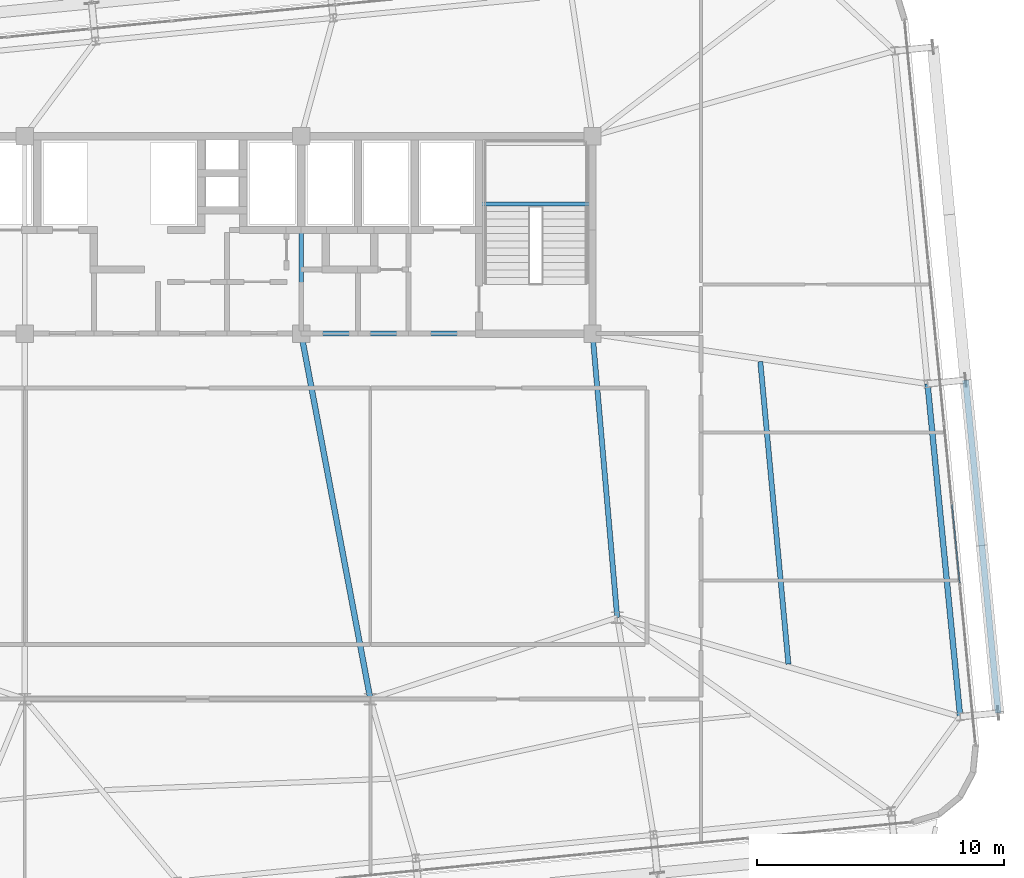
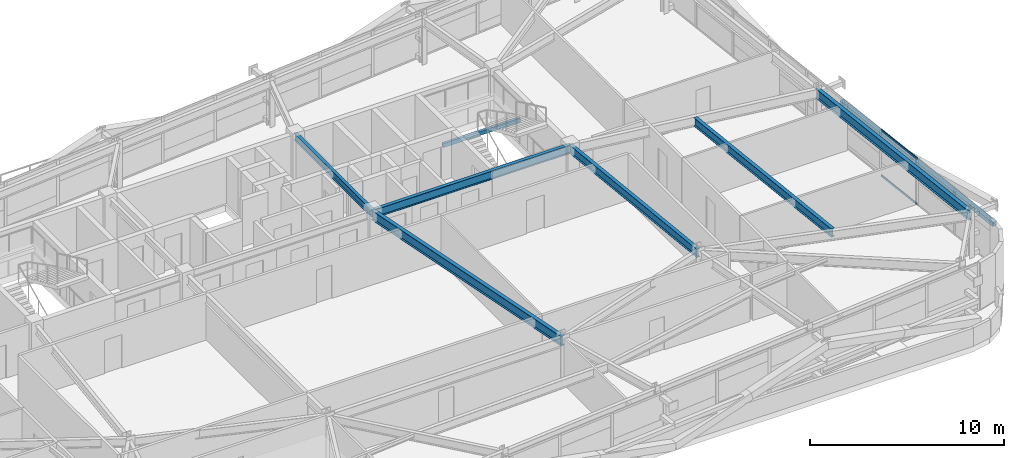
# One storey, part 23 of 51: 7 beams, 3 members, 1 element without a shape of its own.
"""IFC4 building model written with IfcOpenShell, lengths in metres."""

import ifcopenshell
import ifcopenshell.guid

model = None  # the IFC model being written
_history = None  # IfcOwnerHistory: only IFC2X3 demands one
_inside = {}  # id of a spatial element -> (the spatial element, [elements in it])
_under = {}  # id of a project, library or spatial element -> (it, [spatial elements below it])
_declared = {}  # id of a project -> (the project, [libraries it declares])
_typed = {}  # id of a type object -> (the type object, [elements of that type])
_made_of = {}  # id of a material, layer set ... -> (it, [elements and type objects made of it])


def new_model(schema):
    """Start an empty IFC model of exactly this schema.

    Asked for "IFC4X3", IfcOpenShell would pick the latest addendum, in which some entities
    have other attributes; the version numbers below select the first issue.
    IFC2X3 requires an IfcOwnerHistory on every rooted entity: one is made here for all.
    """
    global model, _history
    if schema == "IFC4X3":
        model = ifcopenshell.file(schema_version=(4, 3, 0, 0))
    else:
        model = ifcopenshell.file(schema=schema)
    _inside.clear()
    _under.clear()
    _declared.clear()
    _typed.clear()
    _made_of.clear()
    _history = None
    if model.schema == "IFC2X3":
        org = make("IfcOrganization", Name="unknown")
        user = make(
            "IfcPersonAndOrganization",
            ThePerson=make("IfcPerson", FamilyName="unknown"),
            TheOrganization=org,
        )
        app = make(
            "IfcApplication",
            ApplicationDeveloper=org,
            Version="unknown",
            ApplicationFullName="unknown",
            ApplicationIdentifier="unknown",
        )
        _history = make(
            "IfcOwnerHistory",
            OwningUser=user,
            OwningApplication=app,
            ChangeAction="ADDED",
            CreationDate=0,
        )
    return model


def make(cls, **values):
    """One entity of the class cls with the attributes given. An attribute that is None is left unset."""
    return model.create_entity(
        cls, **{name: value for name, value in values.items() if value is not None}
    )


def rooted(cls, **values):
    """An entity with a GlobalId (a new one), such as an element, a storey or a relation."""
    return make(cls, GlobalId=ifcopenshell.guid.new(), OwnerHistory=_history, **values)


def si_unit(unit_type, name, prefix=None):
    """IfcSIUnit, for example si_unit("LENGTHUNIT", "METRE", prefix="MILLI")."""
    return make("IfcSIUnit", UnitType=unit_type, Prefix=prefix, Name=name)


def assignment(units):
    """IfcUnitAssignment: the units of a project."""
    return None if units is None else make("IfcUnitAssignment", Units=units)


def point(xyz):
    """IfcCartesianPoint."""
    return None if xyz is None else make("IfcCartesianPoint", Coordinates=xyz)


def direction(xyz):
    """IfcDirection."""
    return None if xyz is None else make("IfcDirection", DirectionRatios=xyz)


def frame(location, z_axis=None, x_axis=None):
    """IfcAxis2Placement3D, a coordinate frame: its origin and axes. An axis left out is left unset."""
    return make(
        "IfcAxis2Placement3D",
        Location=point(location),
        Axis=direction(z_axis),
        RefDirection=direction(x_axis),
    )


def frame_2d(location, x_axis=None):
    """IfcAxis2Placement2D, a coordinate frame in the plane: its origin and x axis."""
    return make(
        "IfcAxis2Placement2D", Location=point(location), RefDirection=direction(x_axis)
    )


def origin():
    """The frame at (0, 0, 0) with its axes left unset."""
    return frame((0.0, 0.0, 0.0))


def origin_2d():
    """The frame at (0, 0) in the plane with its x axis left unset."""
    return frame_2d((0.0, 0.0))


def place(relative_to, where):
    """IfcLocalPlacement: puts the frame where relative to a parent placement (None: the world)."""
    return make(
        "IfcLocalPlacement", PlacementRelTo=relative_to, RelativePlacement=where
    )


def context(
    kind, dimensions, precision=None, world=None, true_north=None, identifier=None
):
    """IfcGeometricRepresentationContext, for example the 3D "Model" context."""
    return make(
        "IfcGeometricRepresentationContext",
        ContextIdentifier=identifier,
        ContextType=kind,
        CoordinateSpaceDimension=dimensions,
        Precision=precision,
        WorldCoordinateSystem=world,
        TrueNorth=true_north,
    )


def subcontext(parent, identifier, kind, view, scale=None):
    """IfcGeometricRepresentationSubContext, for example "Body" below "Model"."""
    return make(
        "IfcGeometricRepresentationSubContext",
        ContextIdentifier=identifier,
        ContextType=kind,
        ParentContext=parent,
        TargetScale=scale,
        TargetView=view,
    )


def project(units=None, contexts=None):
    """IfcProject with its units and contexts."""
    return rooted(
        "IfcProject",
        Name="project",
        RepresentationContexts=contexts,
        UnitsInContext=assignment(units),
    )


def spatial(cls, under=None, at=None, **own):
    """A site, building, storey or space (cls), placed at a placement, below another one or the project."""
    s = rooted(cls, ObjectPlacement=at, **own)
    if under is not None:
        _under.setdefault(under.id(), (under, []))[1].append(s)
    return s


def profile(cls, at=None, kind="AREA", **sizes):
    """A parametric profile (cls). Its sizes go by their IFC names, for example OverallWidth=200.0."""
    return make(cls, ProfileType=kind, Position=at, **sizes)


def hollow_rectangle(**sizes):
    """IfcRectangleHollowProfileDef."""
    return profile("IfcRectangleHollowProfileDef", **sizes)


def i_section(**sizes):
    """IfcIShapeProfileDef."""
    return profile("IfcIShapeProfileDef", **sizes)


def extrude(swept, where, along, depth):
    """IfcExtrudedAreaSolid: the profile swept, set in the frame where, extruded along a direction by depth."""
    return make(
        "IfcExtrudedAreaSolid",
        SweptArea=swept,
        Position=where,
        ExtrudedDirection=direction(along),
        Depth=depth,
    )


def shape(context_of_items, identifier, shape_type, items):
    """IfcShapeRepresentation: the items that make up one representation, for example the "Body"."""
    return make(
        "IfcShapeRepresentation",
        ContextOfItems=context_of_items,
        RepresentationIdentifier=identifier,
        RepresentationType=shape_type,
        Items=items,
    )


def source(mapping_origin, context_of_items, identifier, shape_type, items):
    """IfcRepresentationMap: a shape defined once, which mapped items show again and again."""
    return make(
        "IfcRepresentationMap",
        MappingOrigin=mapping_origin,
        MappedRepresentation=shape(context_of_items, identifier, shape_type, items),
    )


def transform(
    local_origin,
    x_axis=None,
    y_axis=None,
    z_axis=None,
    scale=None,
    scale2=None,
    scale3=None,
    uniform=True,
):
    """IfcCartesianTransformationOperator3D, or its non-uniform kind. x_axis, y_axis, z_axis: its Axis1, 2, 3."""
    if uniform:
        return make(
            "IfcCartesianTransformationOperator3D",
            Axis1=direction(x_axis),
            Axis2=direction(y_axis),
            LocalOrigin=point(local_origin),
            Scale=scale,
            Axis3=direction(z_axis),
        )
    return make(
        "IfcCartesianTransformationOperator3DnonUniform",
        Axis1=direction(x_axis),
        Axis2=direction(y_axis),
        LocalOrigin=point(local_origin),
        Scale=scale,
        Axis3=direction(z_axis),
        Scale2=scale2,
        Scale3=scale3,
    )


def mapped(mapping_source, mapping_target):
    """IfcMappedItem: shows the shape of a source again, moved by a transform."""
    return make(
        "IfcMappedItem", MappingSource=mapping_source, MappingTarget=mapping_target
    )


def material(Name=None, Category=None):
    """IfcMaterial."""
    return make("IfcMaterial", Name=Name, Category=Category)


def layer(
    of_material, thickness, ventilated=None, Name=None, Category=None, Priority=None
):
    """IfcMaterialLayer: one layer of a wall or slab, of a material (None: an air gap)."""
    return make(
        "IfcMaterialLayer",
        Material=of_material,
        LayerThickness=thickness,
        IsVentilated=ventilated,
        Name=Name,
        Category=Category,
        Priority=Priority,
    )


def layer_set(layers, Name=None):
    """IfcMaterialLayerSet."""
    return make("IfcMaterialLayerSet", MaterialLayers=layers, LayerSetName=Name)


def material_profile(
    of_material, cross_section, Name=None, Category=None, Priority=None
):
    """IfcMaterialProfile: a cross section and its material."""
    return make(
        "IfcMaterialProfile",
        Name=Name,
        Material=of_material,
        Profile=cross_section,
        Priority=Priority,
        Category=Category,
    )


def profile_set(profiles, Name=None, composite=None):
    """IfcMaterialProfileSet."""
    return make(
        "IfcMaterialProfileSet",
        Name=Name,
        MaterialProfiles=profiles,
        CompositeProfile=composite,
    )


def made_of(thing, what):
    """Note that an element or type object is made of a material, layer set ...; save() writes the relation."""
    if what is not None:
        _made_of.setdefault(what.id(), (what, []))[1].append(thing)
    return thing


def type_object(cls, material=None, **own):
    """A type object (cls), such as IfcWallType, which elements share."""
    return made_of(rooted(cls, **own), material)


def element(
    cls,
    number,
    at=None,
    inside=None,
    cuts=None,
    type_object=None,
    material=None,
    context=None,
    identifier="Body",
    shape_type=None,
    held_by="IfcProductDefinitionShape",
    body=None,
    shapes=None,
    **own,
):
    """One element of the class cls, such as IfcWall. Its Tag is "e" and its number.

    at: its placement. inside: the storey or other place that contains it. cuts: it is an
    opening in that element (IfcRelVoidsElement). A single representation is given by context,
    identifier, shape_type and body (its items); several are given by shapes. held_by: the class
    of the entity that holds the representations. save() writes the other relations.
    """
    e = rooted(cls, Tag="e%d" % number, ObjectPlacement=at, **own)
    if body is not None:
        shapes = [shape(context, identifier, shape_type, body)]
    if shapes is not None:
        e.Representation = make(held_by, Representations=shapes)
    if inside is not None:
        _inside.setdefault(inside.id(), (inside, []))[1].append(e)
    if cuts is not None:
        rooted(
            "IfcRelVoidsElement", RelatingBuildingElement=cuts, RelatedOpeningElement=e
        )
    if type_object is not None:
        _typed.setdefault(type_object.id(), (type_object, []))[1].append(e)
    return made_of(e, material)


def aggregate(whole, parts):
    """IfcRelAggregates: a whole, such as a stair, and the parts it consists of."""
    return rooted("IfcRelAggregates", RelatingObject=whole, RelatedObjects=parts)


def save(model, path):
    """Write the relations noted so far, then the file.

    IfcRelAggregates (storeys below a building ...), IfcRelContainedInSpatialStructure (elements
    in a storey), IfcRelDefinesByType, IfcRelAssociatesMaterial and IfcRelDeclares: one each for
    every whole, place, type object, material and project.
    """
    for whole, parts in _under.values():
        aggregate(whole, parts)
    for where, things in _inside.values():
        rooted(
            "IfcRelContainedInSpatialStructure",
            RelatedElements=things,
            RelatingStructure=where,
        )
    for kind, things in _typed.values():
        rooted("IfcRelDefinesByType", RelatedObjects=things, RelatingType=kind)
    for what, things in _made_of.values():
        rooted("IfcRelAssociatesMaterial", RelatedObjects=things, RelatingMaterial=what)
    for by, libraries in _declared.values():
        rooted("IfcRelDeclares", RelatingContext=by, RelatedDefinitions=libraries)
    model.write(path)


model = new_model("IFC4")

# Units and contexts
model_context = context("Model", 3, precision=1e-05, world=origin(), true_north=direction((0.0, 1.0)))
body_context = subcontext(model_context, "Body", "Model", "MODEL_VIEW")
ifc_project = project(units=[si_unit("LENGTHUNIT", "METRE"), si_unit("AREAUNIT", "SQUARE_METRE"), si_unit("VOLUMEUNIT", "CUBIC_METRE"), si_unit("PLANEANGLEUNIT", "RADIAN"), si_unit("MASSUNIT", "GRAM", prefix="KILO")], contexts=[model_context])

# Site, building, storey
site_placement = place(None, origin())
site = spatial("IfcSite", under=ifc_project, at=site_placement, CompositionType="ELEMENT")
building_placement = place(site_placement, origin())
building = spatial("IfcBuilding", under=site, at=building_placement, Name="Taldren Reach Tower", CompositionType="ELEMENT")
storey_placement = place(building_placement, frame((0.0, 0.0, 65.10009765625)))
storey = spatial("IfcBuildingStorey", under=building, at=storey_placement, Name="L19", CompositionType="ELEMENT", Elevation=65.10009765625)

# Beams
ifc_material_1 = material(Name="Steel Gr 350 (350PLUS)", Category="steel")
ifc_material_profile_1 = material_profile(ifc_material_1, i_section(OverallWidth=0.208984375, OverallDepth=0.532958984375, WebThickness=0.01025390625, FlangeThickness=0.015625, at=origin_2d()), Name="530UB92.4")
ifc_profile_set_1 = profile_set([ifc_material_profile_1], Name="Steel Gr 350 (350PLUS)")
beam_type_1 = type_object("IfcBeamType", Name="BM-UB530A", PredefinedType="BEAM", material=ifc_profile_set_1)
shared_shape_1 = source(origin(), body_context, "Body", "SweptSolid", [
    extrude(i_section(OverallWidth=0.208984375, OverallDepth=0.532958984375, WebThickness=0.01025390625, FlangeThickness=0.015625, at=origin_2d()), origin(), (0.0, 0.0, 1.0), 11.800048828125),
])
beam_1_placement = place(storey_placement, frame((39.199951171875, 24.0, 2.663330078125), z_axis=(1.0, 0.0, 0.0), x_axis=(0.0, 1.0, 0.0)))
element("IfcBeam", 1, at=beam_1_placement, inside=storey, type_object=beam_type_1, Name="Core-spine girder L19-SP03", PredefinedType="BEAM", context=body_context, shape_type="MappedRepresentation", body=[
    mapped(shared_shape_1, transform((0.0, 0.0, 0.0), scale=1.0)),
])
ifc_material_profile_2 = material_profile(ifc_material_1, i_section(OverallWidth=0.19091796875, OverallDepth=0.4599609375, WebThickness=0.010009765625, FlangeThickness=0.01611328125, at=origin_2d()), Name="460UB82.1")
ifc_profile_set_2 = profile_set([ifc_material_profile_2], Name="Steel Gr 350 (350PLUS)")
beam_type_2 = type_object("IfcBeamType", Name="BM-UB460A", PredefinedType="BEAM", material=ifc_profile_set_2)
shared_shape_2 = source(origin(), body_context, "Body", "SweptSolid", [
    extrude(i_section(OverallWidth=0.19091796875, OverallDepth=0.4599609375, WebThickness=0.010009765625, FlangeThickness=0.01611328125, at=origin_2d()), origin(), (0.0, 0.0, 1.0), 8.0),
])
beam_2_placement = place(storey_placement, frame((39.199951171875, 24.0, 2.699951171875), z_axis=(0.0, 1.0, 0.0), x_axis=(-1.0, 0.0, 0.0)))
element("IfcBeam", 2, at=beam_2_placement, inside=storey, type_object=beam_type_2, Name="Core-spine girder L19-SP08", PredefinedType="BEAM", context=body_context, shape_type="MappedRepresentation", body=[
    mapped(shared_shape_2, transform((0.0, 0.0, 0.0), scale=1.0)),
])
shared_shape_3 = source(origin(), body_context, "Body", "SweptSolid", [
    extrude(i_section(OverallWidth=0.208984375, OverallDepth=0.532958984375, WebThickness=0.01025390625, FlangeThickness=0.015625, at=origin_2d()), origin(), (0.0, 0.0, 1.0), 11.54345703125),
])
beam_3_placement = place(storey_placement, frame((52.0, 12.5, 2.663330078125), z_axis=(-0.086629616365, 0.996240588196, 0.0), x_axis=(-0.996240588196, -0.086629616365, 0.0)))
element("IfcBeam", 3, at=beam_3_placement, inside=storey, type_object=beam_type_1, Name="Core-spine girder L19-SP13", PredefinedType="BEAM", context=body_context, shape_type="MappedRepresentation", body=[
    mapped(shared_shape_3, transform((0.0, 0.0, 0.0), scale=1.0)),
])
ifc_material_profile_3 = material_profile(ifc_material_1, i_section(OverallWidth=0.22802734375, OverallDepth=0.60205078125, WebThickness=0.010498046875, FlangeThickness=0.014892578125, at=origin_2d()), Name="610UB101")
ifc_profile_set_3 = profile_set([ifc_material_profile_3], Name="Steel Gr 350 (350PLUS)")
beam_type_3 = type_object("IfcBeamType", Name="BM-UB610B", PredefinedType="BEAM", material=ifc_profile_set_3)
shared_shape_4 = source(origin(), body_context, "Body", "SweptSolid", [
    extrude(i_section(OverallWidth=0.22802734375, OverallDepth=0.60205078125, WebThickness=0.010498046875, FlangeThickness=0.014892578125, at=origin_2d()), origin(), (0.0, 0.0, 1.0), 15.0625),
])
beam_4_placement = place(storey_placement, frame((39.199951171875, 24.0, 2.62890625), z_axis=(0.185894205668, -0.982569765614, 0.0), x_axis=(0.982569765614, 0.185894205668, 0.0)))
element("IfcBeam", 4, at=beam_4_placement, inside=storey, type_object=beam_type_3, Name="Core-spine girder L19-SP15", PredefinedType="BEAM", context=body_context, shape_type="MappedRepresentation", body=[
    mapped(shared_shape_4, transform((0.0, 0.0, 0.0), scale=1.0)),
])
shared_shape_5 = source(origin(), body_context, "Body", "SweptSolid", [
    extrude(i_section(OverallWidth=0.22802734375, OverallDepth=0.60205078125, WebThickness=0.010498046875, FlangeThickness=0.014892578125, at=origin_2d()), origin(), (0.0, 0.0, 1.0), 13.550048828125),
])
beam_5_placement = place(storey_placement, frame((65.8916015625, 8.483642578125, 2.62890625), z_axis=(-0.097566175139, 0.995229039703, 0.0), x_axis=(-0.995229039703, -0.097566175139, 0.0)))
element("IfcBeam", 5, at=beam_5_placement, inside=storey, type_object=beam_type_3, Name="Perimeter gable girder B2 E1-E2 L19", PredefinedType="BEAM", context=body_context, shape_type="MappedRepresentation", body=[
    mapped(shared_shape_5, transform((0.0, 0.0, 0.0), scale=1.0)),
])
shared_shape_6 = source(origin(), body_context, "Body", "SweptSolid", [
    extrude(i_section(OverallWidth=0.208984375, OverallDepth=0.532958984375, WebThickness=0.01025390625, FlangeThickness=0.015625, at=origin_2d()), origin(), (0.0, 0.0, 1.0), 12.306396484375),
])
beam_6_placement = place(storey_placement, frame((58.9345703125, 10.61376953125, 2.663330078125), z_axis=(-0.092546068089, 0.995708403741, 0.0), x_axis=(-0.995708403741, -0.092546068089, 0.0)))
element("IfcBeam", 6, at=beam_6_placement, inside=storey, type_object=beam_type_1, Name="Secondary floor beam B2 J7 L19", PredefinedType="BEAM", context=body_context, shape_type="MappedRepresentation", body=[
    mapped(shared_shape_6, transform((0.0, 0.0, 0.0), scale=1.0)),
])

# Member
ifc_material_2 = material(Name="Steel Gr 350 (C350L0)", Category="steel")
ifc_material_profile_4 = material_profile(ifc_material_2, hollow_rectangle(XDim=0.25, YDim=0.25, WallThickness=0.010009765625, at=origin_2d()), Name="250x250x10.0SHS")
ifc_profile_set_4 = profile_set([ifc_material_profile_4], Name="Steel Gr 350 (C350L0)")
member_type_1 = type_object("IfcMemberType", Name="MB-POST250", PredefinedType="POST", material=ifc_profile_set_4)
shared_shape_7 = source(origin(), body_context, "Body", "SweptSolid", [
    extrude(hollow_rectangle(XDim=0.25, YDim=0.25, WallThickness=0.010009765625, at=origin_2d()), origin(), (0.0, 0.0, 1.0), 13.550048828125),
])
member_1_placement = place(storey_placement, frame((67.434326171875, 8.634765625, 1.434814453125), z_axis=(-0.097584021339, 0.995227290009, 0.0), x_axis=(-0.995227290009, -0.097584021339, 0.0)))
element("IfcMember", 7, at=member_1_placement, inside=storey, type_object=member_type_1, Name="Exoskeleton mid-height ring chord B2-E1 L19", PredefinedType="POST", context=body_context, shape_type="MappedRepresentation", body=[
    mapped(shared_shape_7, transform((0.0, 0.0, 0.0), scale=1.0)),
])

# Curtain wall, members
ifc_material_3 = material(Name="Aluminium and Low-E Glass Unitised System", Category="aluminium")
ifc_layer = layer(ifc_material_3, 0.159912109375)
ifc_layer_set = layer_set([ifc_layer], Name="Aluminium and Low-E Glass Unitised System")
curtain_wall_type = type_object("IfcCurtainWallType", Name="CW-SYS-3", PredefinedType="NOTDEFINED", material=ifc_layer_set)
curtain_wall_placement = place(storey_placement, origin())
curtain_wall = element("IfcCurtainWall", 8, at=curtain_wall_placement, inside=storey, type_object=curtain_wall_type, Name="Unitised curtain wall CW-L19-E", PredefinedType="NOTDEFINED")
ifc_material_4 = material(Name="Anodised Aluminium 6063-T6", Category="aluminium")
ifc_material_profile_5 = material_profile(ifc_material_4, hollow_rectangle(XDim=0.054931640625, YDim=0.1201171875, WallThickness=0.0029296875, at=origin_2d()), Name="ALU-120x55x3RHS")
ifc_profile_set_5 = profile_set([ifc_material_profile_5], Name="Anodised Aluminium 6063-T6")
member_type_2 = type_object("IfcMemberType", Name="CW-TRN-135", PredefinedType="USERDEFINED", material=ifc_profile_set_5)
shared_shape_8 = source(origin(), body_context, "Body", "SweptSolid", [
    extrude(hollow_rectangle(XDim=0.054931640625, YDim=0.1201171875, WallThickness=0.0029296875, at=origin_2d()), origin(), (0.0, 0.0, 1.0), 3.212646484375),
])
member_2_placement = place(storey_placement, frame((65.87353515625, 13.895751953125, 0.02734375), z_axis=(-0.097577327663, 0.995227946315, 0.0), x_axis=(-0.995227946315, -0.097577327663, 0.0)))
member_2 = element("IfcMember", 9, at=member_2_placement, type_object=member_type_2, Name="CW-3 transom 3.1", ObjectType="TRANSOM", PredefinedType="USERDEFINED", context=body_context, shape_type="MappedRepresentation", body=[
    mapped(shared_shape_8, transform((0.0, 0.0, 0.0), scale=1.0)),
])
member_3_placement = place(storey_placement, frame((65.87353515625, 13.895751953125, 2.90234375), z_axis=(-0.097577327663, 0.995227946315, 0.0), x_axis=(-0.995227946315, -0.097577327663, 0.0)))
member_3 = element("IfcMember", 10, at=member_3_placement, type_object=member_type_2, Name="CW-3 transom 3.2", ObjectType="TRANSOM", PredefinedType="USERDEFINED", context=body_context, shape_type="MappedRepresentation", body=[
    mapped(shared_shape_8, transform((0.0, 0.0, 0.0), scale=1.0)),
])
aggregate(curtain_wall, [member_2, member_3])

# Beam
ifc_material_profile_6 = material_profile(ifc_material_2, hollow_rectangle(XDim=0.14990234375, YDim=0.25, WallThickness=0.009033203125, at=origin_2d()), Name="250x150x9.0RHS")
ifc_profile_set_6 = profile_set([ifc_material_profile_6], Name="Steel Gr 350 (C350L0)")
beam_type_4 = type_object("IfcBeamType", Name="LN-RHS250", PredefinedType="LINTEL", material=ifc_profile_set_6)
shared_shape_9 = source(origin(), body_context, "Body", "SweptSolid", [
    extrude(hollow_rectangle(XDim=0.14990234375, YDim=0.25, WallThickness=0.009033203125, at=origin_2d()), origin(), (0.0, 0.0, 1.0), 4.60009765625),
])
beam_7_placement = place(storey_placement, frame((46.39990234375, 29.2548828125, 1.27001953125), z_axis=(1.0, 0.0, 0.0), x_axis=(0.0, 1.0, 0.0)))
element("IfcBeam", 11, at=beam_7_placement, inside=storey, type_object=beam_type_4, Name="Stair half-landing support beam ST2-L19-1", PredefinedType="LINTEL", context=body_context, shape_type="MappedRepresentation", body=[
    mapped(shared_shape_9, transform((0.0, 0.0, 0.0), scale=1.0)),
])

save(model, "model.ifc")
